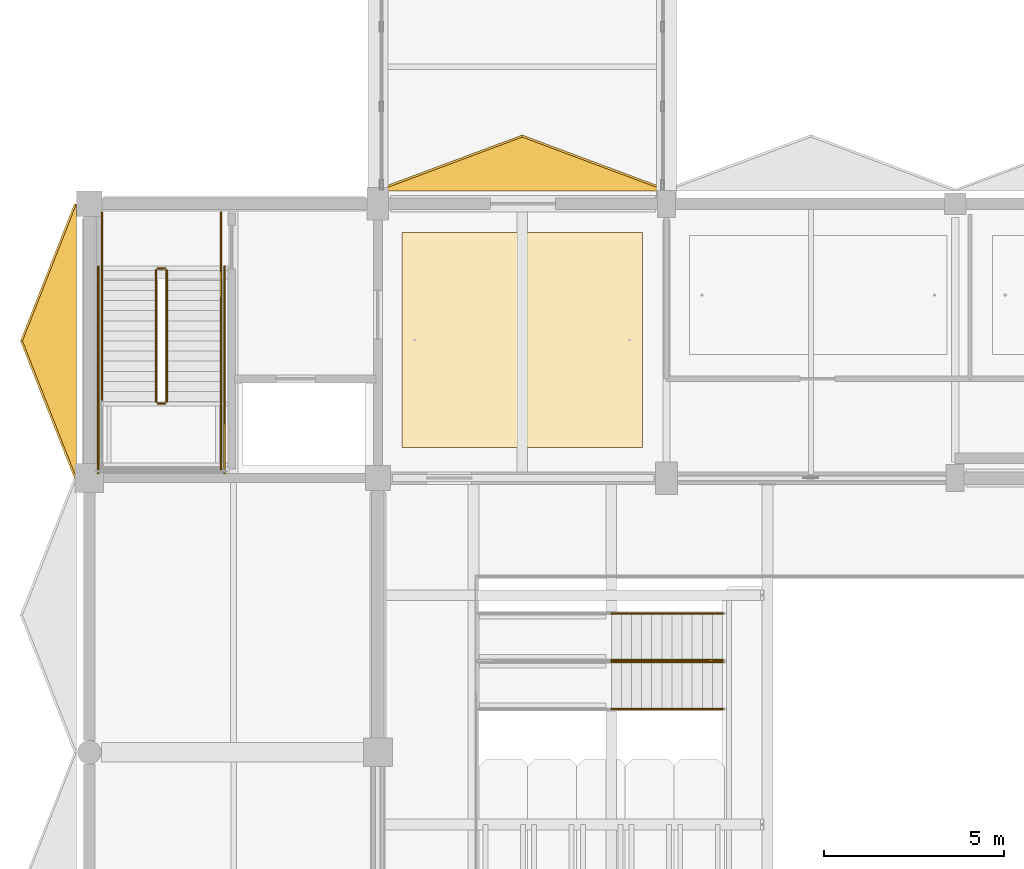
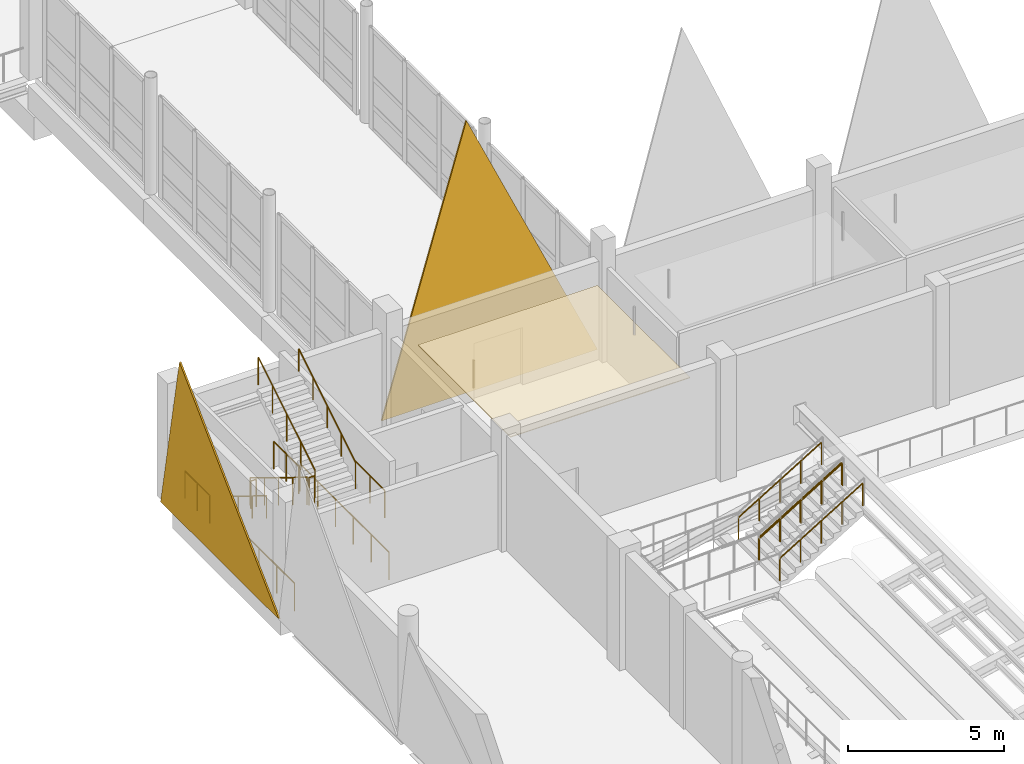
# One storey, part 131 of 141: 15 railings, 3 coverings.
"""IFC4 building model written with IfcOpenShell, lengths in metres."""

from ifc_helpers import new_model, si_unit, direction, frame, origin, origin_2d, place, context, subcontext, project, spatial, polyline, circle, outline, extrude, material, layer, layer_set, type_object, element, save


model = new_model("IFC4")

# Units and contexts
model_context = context("Model", 3, precision=1e-05, world=origin(), true_north=direction((0.0, 1.0)))
body_context = subcontext(model_context, "Body", "Model", "MODEL_VIEW")
ifc_project = project(units=[si_unit("LENGTHUNIT", "METRE"), si_unit("AREAUNIT", "SQUARE_METRE"), si_unit("VOLUMEUNIT", "CUBIC_METRE"), si_unit("PLANEANGLEUNIT", "RADIAN"), si_unit("MASSUNIT", "GRAM", prefix="KILO")], contexts=[model_context])

# Site, building, storey
site_placement = place(None, origin())
site = spatial("IfcSite", under=ifc_project, at=site_placement, CompositionType="ELEMENT")
building_placement = place(site_placement, origin())
building = spatial("IfcBuilding", under=site, at=building_placement, Name="Khelvaren Railside Concert Hall", CompositionType="ELEMENT")
storey_placement = place(building_placement, frame((0.0, 0.0, 10.199951171875)))
storey = spatial("IfcBuildingStorey", under=building, at=storey_placement, Name="L02", CompositionType="ELEMENT", Elevation=10.199951171875)

# Coverings
ifc_material_1 = material(Name="Precast architectural concrete C45/55", Category="concrete")
ifc_layer_1 = layer(ifc_material_1, 0.06005859375)
ifc_layer_set_1 = layer_set([ifc_layer_1], Name="Precast architectural concrete C45/55")
covering_type_1 = type_object("IfcCoveringType", Name="CLD31", PredefinedType="CLADDING", material=ifc_layer_set_1)
covering_1_placement = place(storey_placement, frame((8.0, 45.955078125, 0.0), z_axis=(0.0, -0.98777101591, 0.155911577913), x_axis=(1.0, 0.0, 0.0)))
element("IfcCovering", 1, at=covering_1_placement, inside=storey, type_object=covering_type_1, Name="Main Hall Cut-Crystal Lower Facet N-2", PredefinedType="CLADDING", context=body_context, shape_type="SweptSolid", body=[
    extrude(outline(polyline([(0.0, 0.0), (8.0, 0.0), (4.0, 9.587954062685018), (0.0, 0.0)])), origin(), (0.0, 0.0, -1.0), 0.06005859375),
])
covering_2_placement = place(storey_placement, frame((-0.35498046875, 38.0, 0.0), z_axis=(0.98416040149, 0.0, 0.177280298224), x_axis=(0.0, 1.0, 0.0)))
element("IfcCovering", 2, at=covering_2_placement, inside=storey, type_object=covering_type_1, Name="Main Hall Cut-Crystal West Lower Facet 6", PredefinedType="CLADDING", context=body_context, shape_type="SweptSolid", body=[
    extrude(outline(polyline([(0.0, 0.0), (7.60009765625, 0.0), (3.800048828125, 8.433634207956679), (0.0, 0.0)])), origin(), (0.0, 0.0, -1.0), 0.06005859375),
])
ifc_material_2 = material(Name="Micro-perforated timber acoustic ceiling", Category="wood")
ifc_layer_2 = layer(ifc_material_2, 0.030029296875)
ifc_layer_set_2 = layer_set([ifc_layer_2], Name="Micro-perforated timber acoustic ceiling")
covering_type_2 = type_object("IfcCoveringType", Name="CLG77", PredefinedType="CEILING", material=ifc_layer_set_2)
covering_3_placement = place(storey_placement, frame((0.0, 0.0, 3.420166015625)))
element("IfcCovering", 3, at=covering_3_placement, inside=storey, type_object=covering_type_2, Name="Suspended Acoustic Ceiling V1 L02 North Bridge and Core Foyer", PredefinedType="CEILING", context=body_context, shape_type="SweptSolid", body=[
    extrude(outline(polyline([(8.669921875, 38.85009765625), (15.330078125, 38.85009765625), (15.330078125, 44.800048828125), (8.669921875, 44.800048828125), (8.669921875, 38.85009765625)])), origin(), (0.0, 0.0, 1.0), 0.02978515625),
])

# Railings
ifc_material_3 = material(Name="Painted architectural steel", Category="steel")
railing_type_1 = type_object("IfcRailingType", Name="GRD86", PredefinedType="GUARDRAIL", material=ifc_material_3)
railing_1_placement = place(storey_placement, frame((1.85009765625, 43.760009765625, 0.17138671875)))
element("IfcRailing", 4, at=railing_1_placement, inside=storey, type_object=railing_type_1, Name="L02 ST-11 stair guard 1", PredefinedType="GUARDRAIL", context=body_context, shape_type="SweptSolid", body=[
    extrude(circle(Radius=0.02392578125, at=origin_2d()), frame((0.0, 0.0, 1.076171875), z_axis=(0.0, -0.852824790078, 0.522197163366), x_axis=(1.0, 0.0, 0.0)), (0.0, 0.0, 1.0), 4.26806640625),
    extrude(circle(Radius=0.02099609375, at=origin_2d()), origin(), (0.0, 0.0, 1.0), 1.052001953125),
    extrude(circle(Radius=0.02099609375, at=origin_2d()), frame((0.0, -0.909912109375, 0.55712890625)), (0.0, 0.0, 1.0), 1.052001953125),
    extrude(circle(Radius=0.02099609375, at=origin_2d()), frame((0.0, -1.81982421875, 1.1142578125)), (0.0, 0.0, 1.0), 1.052001953125),
    extrude(circle(Radius=0.02099609375, at=origin_2d()), frame((0.0, -2.72998046875, 1.671630859375)), (0.0, 0.0, 1.0), 1.052001953125),
    extrude(circle(Radius=0.02099609375, at=origin_2d()), frame((0.0, -3.639892578125, 2.228759765625)), (0.0, 0.0, 1.0), 1.052001953125),
])
railing_2_placement = place(storey_placement, frame((1.89990234375, 40.070068359375, 2.400146484375)))
element("IfcRailing", 5, at=railing_2_placement, inside=storey, type_object=railing_type_1, Name="L02 ST-11 stair guard 2", PredefinedType="GUARDRAIL", context=body_context, shape_type="SweptSolid", body=[
    extrude(circle(Radius=0.02392578125, at=origin_2d()), frame((0.0, 0.0, 1.076171875), z_axis=(1.0, 0.0, 0.0), x_axis=(0.0, 1.0, 0.0)), (0.0, 0.0, 1.0), 0.2001953125),
    extrude(circle(Radius=0.02099609375, at=origin_2d()), origin(), (0.0, 0.0, 1.0), 1.052001953125),
    extrude(circle(Radius=0.02099609375, at=origin_2d()), frame((0.2001953125, 0.0, 0.0)), (0.0, 0.0, 1.0), 1.052001953125),
])
railing_3_placement = place(storey_placement, frame((3.64990234375, 40.1201171875, 2.400146484375)))
element("IfcRailing", 6, at=railing_3_placement, inside=storey, type_object=railing_type_1, Name="L02 ST-11 stair guard 4", PredefinedType="GUARDRAIL", context=body_context, shape_type="SweptSolid", body=[
    extrude(circle(Radius=0.02392578125, at=origin_2d()), frame((0.0, 0.0, 1.076171875), z_axis=(0.0, -1.0, 0.0), x_axis=(1.0, 0.0, 0.0)), (0.0, 0.0, 1.0), 1.880126953125),
    extrude(circle(Radius=0.02099609375, at=origin_2d()), origin(), (0.0, 0.0, 1.0), 1.052001953125),
    extrude(circle(Radius=0.02099609375, at=origin_2d()), frame((0.0, -0.93994140625, 0.0)), (0.0, 0.0, 1.0), 1.052001953125),
    extrude(circle(Radius=0.02099609375, at=origin_2d()), frame((0.0, -1.880126953125, 0.0)), (0.0, 0.0, 1.0), 1.052001953125),
])
railing_4_placement = place(storey_placement, frame((2.14990234375, 40.1201171875, 2.571533203125)))
element("IfcRailing", 7, at=railing_4_placement, inside=storey, type_object=railing_type_1, Name="L02 ST-11 stair guard 6", PredefinedType="GUARDRAIL", context=body_context, shape_type="SweptSolid", body=[
    extrude(circle(Radius=0.02392578125, at=origin_2d()), frame((0.0, 0.0, 1.076171875), z_axis=(0.0, 0.852850264322, 0.5221555579), x_axis=(-1.0, 0.0, 0.0)), (0.0, 0.0, 1.0), 4.267822265625),
    extrude(circle(Radius=0.02099609375, at=origin_2d()), origin(), (0.0, 0.0, 1.0), 1.052001953125),
    extrude(circle(Radius=0.02099609375, at=origin_2d()), frame((0.0, 0.909912109375, 0.55712890625)), (0.0, 0.0, 1.0), 1.052001953125),
    extrude(circle(Radius=0.02099609375, at=origin_2d()), frame((0.0, 1.81982421875, 1.1142578125)), (0.0, 0.0, 1.0), 1.052001953125),
    extrude(circle(Radius=0.02099609375, at=origin_2d()), frame((0.0, 2.72998046875, 1.67138671875)), (0.0, 0.0, 1.0), 1.052001953125),
    extrude(circle(Radius=0.02099609375, at=origin_2d()), frame((0.0, 3.639892578125, 2.228515625)), (0.0, 0.0, 1.0), 1.052001953125),
])
railing_5_placement = place(storey_placement, frame((1.89990234375, 43.81005859375, 0.0)))
element("IfcRailing", 8, at=railing_5_placement, inside=storey, type_object=railing_type_1, Name="L02 ST-11 stair guard 7", PredefinedType="GUARDRAIL", context=body_context, shape_type="SweptSolid", body=[
    extrude(circle(Radius=0.02392578125, at=origin_2d()), frame((0.0, 0.0, 1.076171875), z_axis=(1.0, 0.0, 0.0), x_axis=(0.0, 1.0, 0.0)), (0.0, 0.0, 1.0), 0.2001953125),
    extrude(circle(Radius=0.02099609375, at=origin_2d()), origin(), (0.0, 0.0, 1.0), 1.052001953125),
    extrude(circle(Radius=0.02099609375, at=origin_2d()), frame((0.2001953125, 0.0, 0.0)), (0.0, 0.0, 1.0), 1.052001953125),
])
for number, where, name in (
    (9, (0.35009765625, 45.360107421875, 0.0), "L02 ST-11 stair guard 8"),
    (10, (3.64990234375, 45.360107421875, 0.0), "L02 ST-11 stair guard 9"),
):
    element("IfcRailing", number, at=place(storey_placement, frame(where)), inside=storey, type_object=railing_type_1, Name=name, PredefinedType="GUARDRAIL", context=body_context, shape_type="SweptSolid", body=[
        extrude(circle(Radius=0.02392578125, at=origin_2d()), frame((0.0, 0.0, 1.076171875), z_axis=(0.0, -1.0, 0.0), x_axis=(1.0, 0.0, 0.0)), (0.0, 0.0, 1.0), 1.60009765625),
        extrude(circle(Radius=0.02099609375, at=origin_2d()), origin(), (0.0, 0.0, 1.0), 1.052001953125),
        extrude(circle(Radius=0.02099609375, at=origin_2d()), frame((0.0, -0.800048828125, 0.0)), (0.0, 0.0, 1.0), 1.052001953125),
        extrude(circle(Radius=0.02099609375, at=origin_2d()), frame((0.0, -1.60009765625, 0.0)), (0.0, 0.0, 1.0), 1.052001953125),
    ])
for number, where, name in (
    (11, (0.25, 43.860107421875, 0.0), "L02 ST-11 stair guard 10"),
    (12, (3.75, 43.860107421875, 0.0), "L02 ST-11 stair guard 11"),
):
    element("IfcRailing", number, at=place(storey_placement, frame(where)), inside=storey, type_object=railing_type_1, Name=name, PredefinedType="GUARDRAIL", context=body_context, shape_type="SweptSolid", body=[
        extrude(circle(Radius=0.02392578125, at=origin_2d()), frame((0.0, 0.0, 1.076171875), z_axis=(0.0, -1.0, 0.0), x_axis=(1.0, 0.0, 0.0)), (0.0, 0.0, 1.0), 5.72021484375),
        extrude(circle(Radius=0.02099609375, at=origin_2d()), origin(), (0.0, 0.0, 1.0), 1.052001953125),
        extrude(circle(Radius=0.02099609375, at=origin_2d()), frame((0.0, -1.14404296875, 0.0)), (0.0, 0.0, 1.0), 1.052001953125),
        extrude(circle(Radius=0.02099609375, at=origin_2d()), frame((0.0, -2.2880859375, 0.0)), (0.0, 0.0, 1.0), 1.052001953125),
        extrude(circle(Radius=0.02099609375, at=origin_2d()), frame((0.0, -3.43212890625, 0.0)), (0.0, 0.0, 1.0), 1.052001953125),
        extrude(circle(Radius=0.02099609375, at=origin_2d()), frame((0.0, -4.576171875, 0.0)), (0.0, 0.0, 1.0), 1.052001953125),
        extrude(circle(Radius=0.02099609375, at=origin_2d()), frame((0.0, -5.72021484375, 0.0)), (0.0, 0.0, 1.0), 1.052001953125),
    ])
ifc_material_4 = material(Name="Brushed stainless steel Grade 316", Category="steel")
railing_type_2 = type_object("IfcRailingType", Name="HRL59", PredefinedType="HANDRAIL", material=ifc_material_4)
railing_6_placement = place(storey_placement, frame((0.35009765625, 43.760009765625, 0.17138671875)))
element("IfcRailing", 13, at=railing_6_placement, inside=storey, type_object=railing_type_2, Name="L02 ST-11 stair handrail 1", PredefinedType="HANDRAIL", context=body_context, shape_type="SweptSolid", body=[
    extrude(circle(Radius=0.02392578125, at=origin_2d()), frame((0.0, 0.0, 0.8759765625), z_axis=(0.0, -0.852824790078, 0.522197163366), x_axis=(1.0, 0.0, 0.0)), (0.0, 0.0, 1.0), 4.26806640625),
    extrude(circle(Radius=0.02099609375, at=origin_2d()), origin(), (0.0, 0.0, 1.0), 0.851806640625),
    extrude(circle(Radius=0.02099609375, at=origin_2d()), frame((0.0, -0.909912109375, 0.55712890625)), (0.0, 0.0, 1.0), 0.851806640625),
    extrude(circle(Radius=0.02099609375, at=origin_2d()), frame((0.0, -1.81982421875, 1.1142578125)), (0.0, 0.0, 1.0), 0.851806640625),
    extrude(circle(Radius=0.02099609375, at=origin_2d()), frame((0.0, -2.72998046875, 1.671630859375)), (0.0, 0.0, 1.0), 0.851806640625),
    extrude(circle(Radius=0.02099609375, at=origin_2d()), frame((0.0, -3.639892578125, 2.228759765625)), (0.0, 0.0, 1.0), 0.851806640625),
])
railing_7_placement = place(storey_placement, frame((3.64990234375, 40.1201171875, 2.571533203125)))
element("IfcRailing", 14, at=railing_7_placement, inside=storey, type_object=railing_type_2, Name="L02 ST-11 stair handrail 2", PredefinedType="HANDRAIL", context=body_context, shape_type="SweptSolid", body=[
    extrude(circle(Radius=0.02392578125, at=origin_2d()), frame((0.0, 0.0, 0.8759765625), z_axis=(0.0, 0.852850264322, 0.5221555579), x_axis=(-1.0, 0.0, 0.0)), (0.0, 0.0, 1.0), 4.267822265625),
    extrude(circle(Radius=0.02099609375, at=origin_2d()), origin(), (0.0, 0.0, 1.0), 0.851806640625),
    extrude(circle(Radius=0.02099609375, at=origin_2d()), frame((0.0, 0.909912109375, 0.55712890625)), (0.0, 0.0, 1.0), 0.851806640625),
    extrude(circle(Radius=0.02099609375, at=origin_2d()), frame((0.0, 1.81982421875, 1.1142578125)), (0.0, 0.0, 1.0), 0.851806640625),
    extrude(circle(Radius=0.02099609375, at=origin_2d()), frame((0.0, 2.72998046875, 1.67138671875)), (0.0, 0.0, 1.0), 0.851806640625),
    extrude(circle(Radius=0.02099609375, at=origin_2d()), frame((0.0, 3.639892578125, 2.228515625)), (0.0, 0.0, 1.0), 0.851806640625),
])
for number, where, name in (
    (15, (14.469970703125, 31.60009765625, 0.170166015625), "Vomitory Pitch Handrail ST-23-L"),
    (16, (14.469970703125, 32.89990234375, 0.170166015625), "Vomitory Pitch Handrail ST-23-R"),
    (17, (14.469970703125, 32.949951171875, 0.170166015625), "Vomitory Pitch Handrail ST-24-L"),
    (18, (14.469970703125, 34.25, 0.170166015625), "Vomitory Pitch Handrail ST-24-R"),
):
    element("IfcRailing", number, at=place(storey_placement, frame(where)), inside=storey, type_object=railing_type_2, Name=name, PredefinedType="HANDRAIL", context=body_context, shape_type="SweptSolid", body=[
        extrude(circle(Radius=0.02392578125, at=origin_2d()), frame((0.0, 0.0, 0.8759765625), z_axis=(0.854808984221, 0.0, 0.518942771889), x_axis=(0.0, 1.0, 0.0)), (0.0, 0.0, 1.0), 3.603271484375),
        extrude(circle(Radius=0.02099609375, at=origin_2d()), origin(), (0.0, 0.0, 1.0), 0.851806640625),
        extrude(circle(Radius=0.02099609375, at=origin_2d()), frame((0.77001953125, 0.0, 0.467529296875)), (0.0, 0.0, 1.0), 0.851806640625),
        extrude(circle(Radius=0.02099609375, at=origin_2d()), frame((1.5400390625, 0.0, 0.93505859375)), (0.0, 0.0, 1.0), 0.851806640625),
        extrude(circle(Radius=0.02099609375, at=origin_2d()), frame((2.31005859375, 0.0, 1.40234375)), (0.0, 0.0, 1.0), 0.851806640625),
        extrude(circle(Radius=0.02099609375, at=origin_2d()), frame((3.080078125, 0.0, 1.869873046875)), (0.0, 0.0, 1.0), 0.851806640625),
    ])

save(model, "model.ifc")
